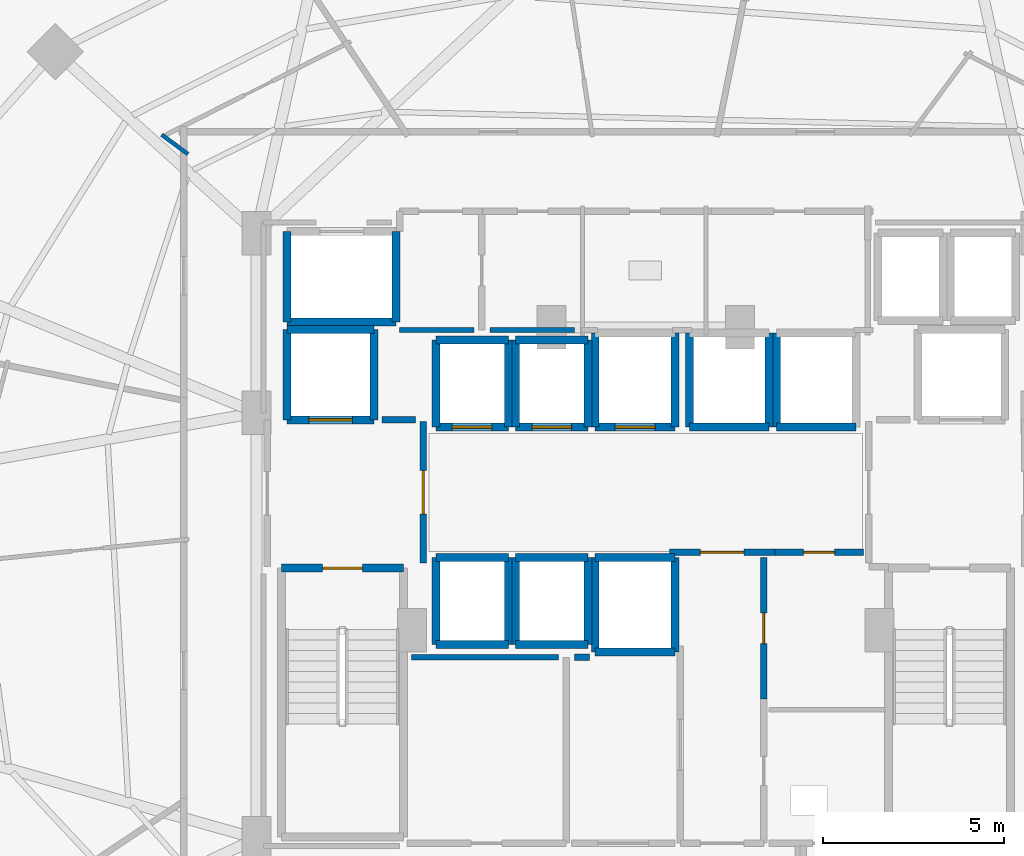
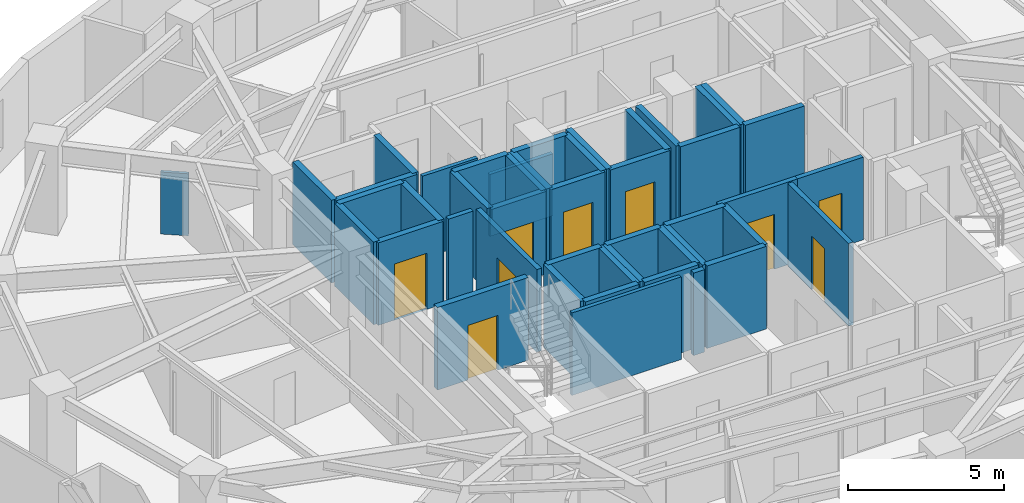
# One storey, part 23 of 29: 46 walls, 9 doors, 9 openings.
"""IFC4 building model written with IfcOpenShell, lengths in metres."""

from ifc_helpers import new_model, si_unit, direction, frame, frame_2d, origin, place, context, subcontext, project, spatial, rectangle, extrude, material, layer, layer_set, type_object, element, fill, save


model = new_model("IFC4")

# Units and contexts
model_context = context("Model", 3, precision=1e-05, world=origin(), true_north=direction((0.0, 1.0)))
body_context = subcontext(model_context, "Body", "Model", "MODEL_VIEW")
ifc_project = project(units=[si_unit("LENGTHUNIT", "METRE"), si_unit("AREAUNIT", "SQUARE_METRE"), si_unit("VOLUMEUNIT", "CUBIC_METRE"), si_unit("PLANEANGLEUNIT", "RADIAN"), si_unit("MASSUNIT", "GRAM", prefix="KILO")], contexts=[model_context])

# Site, building, storey
site_placement = place(None, origin())
site = spatial("IfcSite", under=ifc_project, at=site_placement, CompositionType="ELEMENT")
building_placement = place(site_placement, origin())
building = spatial("IfcBuilding", under=site, at=building_placement, Name="Vorneva Point Tower", CompositionType="ELEMENT")
storey_placement = place(building_placement, frame((0.0, 0.0, 82.300048828125)))
storey = spatial("IfcBuildingStorey", under=building, at=storey_placement, Name="L21", CompositionType="ELEMENT", Elevation=82.300048828125)

# Wall, opening, door
ifc_material_1 = material(Name="Concrete B60 (C50/60)", Category="concrete")
ifc_layer_1 = layer(ifc_material_1, 0.5)
ifc_layer_set_1 = layer_set([ifc_layer_1], Name="Concrete B60 (C50/60)")
wall_type_1 = type_object("IfcWallType", Name="WL-CORE-500", PredefinedType="SHEAR", material=ifc_layer_set_1)
wall_1_placement = place(storey_placement, frame((28.10009765625, 28.0, 0.0), z_axis=(0.0, 0.0, 1.0), x_axis=(1.0, 0.0, 0.0)))
wall_1 = element("IfcWall", 1, at=wall_1_placement, inside=storey, type_object=wall_type_1, Name="L21 Lift FFL1 Shaft Wall -Y", PredefinedType="SHEAR", context=body_context, shape_type="SweptSolid", body=[
    extrude(rectangle(XDim=2.39990234375, YDim=0.219970703125, at=frame_2d((1.199951171875, 0.0))), origin(), (0.0, 0.0, 1.0), 3.239990234375),
])
opening_1_placement = place(wall_1_placement, frame((0.60009765625, 0.0, 0.0)))
opening_1 = element("IfcOpeningElement", 2, at=opening_1_placement, cuts=wall_1, Name="Opening LD-02", PredefinedType="OPENING", context=body_context, shape_type="SweptSolid", body=[
    extrude(rectangle(XDim=1.199951171875, YDim=2.199951171875, at=frame_2d((0.60009765625, 1.10009765625))), frame((0.0, 0.125, 0.0), z_axis=(0.0, -1.0, 0.0), x_axis=(1.0, 0.0, 0.0)), (0.0, 0.0, 1.0), 0.249755859375),
])
ifc_material_2 = material(Name="Brushed stainless steel S304", Category="steel")
door_type_1 = type_object("IfcDoorType", Name="LD-FIRE-1200", OperationType="SLIDING_TO_LEFT", PredefinedType="DOOR", material=ifc_material_2)
door_1_placement = place(opening_1_placement, origin())
door_1 = element("IfcDoor", 3, at=door_1_placement, inside=storey, type_object=door_type_1, Name="L21 Lift FFL1 Sliding Landing Door", OperationType="SLIDING_TO_LEFT", OverallHeight=2.199951171875, OverallWidth=1.199951171875, PredefinedType="DOOR", context=body_context, shape_type="SweptSolid", body=[
    extrude(rectangle(XDim=1.199951171875, YDim=2.199951171875, at=frame_2d((0.60009765625, 1.10009765625))), frame((0.0, 0.02490234375, 0.0), z_axis=(0.0, -1.0, 0.0), x_axis=(1.0, 0.0, 0.0)), (0.0, 0.0, 1.0), 0.050048828125),
])
fill(opening_1, door_1)

# Walls
wall_2_placement = place(storey_placement, frame((30.5, 28.0, 0.0), z_axis=(0.0, 0.0, 1.0), x_axis=(0.0, 1.0, 0.0)))
element("IfcWall", 4, at=wall_2_placement, inside=storey, type_object=wall_type_1, Name="L21 Lift FFL1 Shaft Wall +X", PredefinedType="SHEAR", context=body_context, shape_type="SweptSolid", body=[
    extrude(rectangle(XDim=2.5, YDim=0.219970703125, at=frame_2d((1.25, 0.0))), origin(), (0.0, 0.0, 1.0), 3.239990234375),
])
wall_3_placement = place(storey_placement, frame((30.5, 30.5, 0.0), z_axis=(0.0, 0.0, 1.0), x_axis=(-1.0, 0.0, 0.0)))
element("IfcWall", 5, at=wall_3_placement, inside=storey, type_object=wall_type_1, Name="L21 Lift FFL1 Shaft Wall +Y", PredefinedType="SHEAR", context=body_context, shape_type="SweptSolid", body=[
    extrude(rectangle(XDim=2.39990234375, YDim=0.219970703125, at=frame_2d((1.199951171875, 0.0))), origin(), (0.0, 0.0, 1.0), 3.239990234375),
])
wall_4_placement = place(storey_placement, frame((28.10009765625, 30.5, 0.0), z_axis=(0.0, 0.0, 1.0), x_axis=(0.0, -1.0, 0.0)))
element("IfcWall", 6, at=wall_4_placement, inside=storey, type_object=wall_type_1, Name="L21 Lift FFL1 Shaft Wall -X", PredefinedType="SHEAR", context=body_context, shape_type="SweptSolid", body=[
    extrude(rectangle(XDim=2.5, YDim=0.219970703125, at=frame_2d((1.25, 0.0))), origin(), (0.0, 0.0, 1.0), 3.239990234375),
])
ifc_material_3 = material(Name="Fire-rated acoustic gypsum stud partition", Category="gypsum")
ifc_layer_2 = layer(ifc_material_3, 0.110107421875)
ifc_layer_set_2 = layer_set([ifc_layer_2], Name="Fire-rated acoustic gypsum stud partition")
wall_type_2 = type_object("IfcWallType", Name="WL-PART-110", PredefinedType="PARTITIONING", material=ifc_layer_set_2)
wall_5_placement = place(storey_placement, frame((25.362548828125, 35.333740234375, 0.0), z_axis=(0.0, 0.0, 1.0), x_axis=(-0.804215638238, 0.594337620561, 0.0)))
element("IfcWall", 7, at=wall_5_placement, inside=storey, type_object=wall_type_2, Name="L21 Interior Partition 068", PredefinedType="PARTITIONING", context=body_context, shape_type="SweptSolid", body=[
    extrude(rectangle(XDim=0.899169921875, YDim=0.110107421875, at=frame_2d((0.44970703125, 0.0))), origin(), (0.0, 0.0, 1.0), 2.431884765625),
])
ifc_layer_3 = layer(ifc_material_3, 0.139892578125)
ifc_layer_set_3 = layer_set([ifc_layer_3], Name="Fire-rated acoustic gypsum stud partition")
wall_type_3 = type_object("IfcWallType", Name="WL-PART-140", PredefinedType="PARTITIONING", material=ifc_layer_set_3)
wall_6_placement = place(storey_placement, frame((31.199951171875, 30.47998046875, 0.0), z_axis=(0.0, 0.0, 1.0), x_axis=(1.0, 0.0, 0.0)))
element("IfcWall", 8, at=wall_6_placement, inside=storey, type_object=wall_type_3, Name="L21 Interior Closure Partition 096", PredefinedType="PARTITIONING", context=body_context, shape_type="SweptSolid", body=[
    extrude(rectangle(XDim=2.050048828125, YDim=0.139892578125, at=frame_2d((1.02490234375, 0.0))), origin(), (0.0, 0.0, 1.0), 3.239990234375),
])
wall_7_placement = place(storey_placement, frame((33.699951171875, 30.47998046875, 0.0), z_axis=(0.0, 0.0, 1.0), x_axis=(1.0, 0.0, 0.0)))
element("IfcWall", 9, at=wall_7_placement, inside=storey, type_object=wall_type_3, Name="L21 Interior Closure Partition 097", PredefinedType="PARTITIONING", context=body_context, shape_type="SweptSolid", body=[
    extrude(rectangle(XDim=2.330078125, YDim=0.139892578125, at=frame_2d((1.1650390625, 0.0))), origin(), (0.0, 0.0, 1.0), 2.431884765625),
])
wall_8_placement = place(storey_placement, frame((35.580078125, 21.449951171875, 0.0), z_axis=(0.0, 0.0, 1.0), x_axis=(-1.0, 0.0, 0.0)))
element("IfcWall", 10, at=wall_8_placement, inside=storey, type_object=wall_type_3, Name="L21 Interior Closure Partition 102", PredefinedType="PARTITIONING", context=body_context, shape_type="SweptSolid", body=[
    extrude(rectangle(XDim=4.050048828125, YDim=0.139892578125, at=frame_2d((2.02490234375, 0.0))), origin(), (0.0, 0.0, 1.0), 3.239990234375),
])

# Wall, opening, door
ifc_material_4 = material(Name="Autoclaved aerated concrete blockwork", Category="masonry")
ifc_layer_4 = layer(ifc_material_4, 0.179931640625)
ifc_layer_set_4 = layer_set([ifc_layer_4], Name="Autoclaved aerated concrete blockwork")
wall_type_4 = type_object("IfcWallType", Name="WL-PART-180", PredefinedType="PARTITIONING", material=ifc_layer_set_4)
wall_9_placement = place(storey_placement, frame((31.85009765625, 24.044921875, 0.0), z_axis=(0.0, 0.0, 1.0), x_axis=(0.0, 1.0, 0.0)))
wall_9 = element("IfcWall", 11, at=wall_9_placement, inside=storey, type_object=wall_type_4, Name="L21 Interior Partition 001", PredefinedType="PARTITIONING", context=body_context, shape_type="SweptSolid", body=[
    extrude(rectangle(XDim=3.91015625, YDim=0.179931640625, at=frame_2d((1.955078125, 0.0))), origin(), (0.0, 0.0, 1.0), 3.239990234375),
])
opening_2_placement = place(wall_9_placement, frame((1.35498046875, 0.0, 0.0)))
opening_2 = element("IfcOpeningElement", 12, at=opening_2_placement, cuts=wall_9, Name="Opening FD-02", PredefinedType="OPENING", context=body_context, shape_type="SweptSolid", body=[
    extrude(rectangle(XDim=1.199951171875, YDim=2.14990234375, at=frame_2d((0.60009765625, 1.074951171875))), frame((0.0, 0.10498046875, 0.0), z_axis=(0.0, -1.0, 0.0), x_axis=(1.0, 0.0, 0.0)), (0.0, 0.0, 1.0), 0.209716796875),
])
ifc_material_5 = material(Name="Fire-rated powder-coated steel", Category="steel")
door_type_2 = type_object("IfcDoorType", Name="DR-FFL-1200", OperationType="NOTDEFINED", PredefinedType="DOOR", material=ifc_material_5)
door_2_placement = place(opening_2_placement, origin())
door_2 = element("IfcDoor", 13, at=door_2_placement, inside=storey, type_object=door_type_2, Name="L21 Door West Firefighting Lobby / Central Lift Lobby", OperationType="SINGLE_SWING_LEFT", OverallHeight=2.14990234375, OverallWidth=1.199951171875, PredefinedType="DOOR", context=body_context, shape_type="SweptSolid", body=[
    extrude(rectangle(XDim=1.199951171875, YDim=2.14990234375, at=frame_2d((0.60009765625, 1.074951171875))), frame((0.0, 0.02490234375, 0.0), z_axis=(0.0, -1.0, 0.0), x_axis=(1.0, 0.0, 0.0)), (0.0, 0.0, 1.0), 0.050048828125),
])
fill(opening_2, door_2)

wall_10_placement = place(storey_placement, frame((38.64501953125, 24.35009765625, 0.0), z_axis=(0.0, 0.0, 1.0), x_axis=(1.0, 0.0, 0.0)))
wall_10 = element("IfcWall", 14, at=wall_10_placement, inside=storey, type_object=wall_type_4, Name="L21 Interior Partition 009", PredefinedType="PARTITIONING", context=body_context, shape_type="SweptSolid", body=[
    extrude(rectangle(XDim=2.909912109375, YDim=0.179931640625, at=frame_2d((1.455078125, 0.0))), origin(), (0.0, 0.0, 1.0), 3.239990234375),
])
opening_3_placement = place(wall_10_placement, frame((0.85498046875, 0.0, 0.0)))
opening_3 = element("IfcOpeningElement", 15, at=opening_3_placement, cuts=wall_10, Name="Opening FD-02", PredefinedType="OPENING", context=body_context, shape_type="SweptSolid", body=[
    extrude(rectangle(XDim=1.199951171875, YDim=2.14990234375, at=frame_2d((0.60009765625, 1.074951171875))), frame((0.0, 0.10498046875, 0.0), z_axis=(0.0, -1.0, 0.0), x_axis=(1.0, 0.0, 0.0)), (0.0, 0.0, 1.0), 0.209716796875),
])
door_3_placement = place(opening_3_placement, origin())
door_3 = element("IfcDoor", 16, at=door_3_placement, inside=storey, type_object=door_type_2, Name="L21 Door Central Lift Lobby / Core Service Lobby", OperationType="SINGLE_SWING_LEFT", OverallHeight=2.14990234375, OverallWidth=1.199951171875, PredefinedType="DOOR", context=body_context, shape_type="SweptSolid", body=[
    extrude(rectangle(XDim=1.199951171875, YDim=2.14990234375, at=frame_2d((0.60009765625, 1.074951171875))), frame((0.0, 0.02490234375, 0.0), z_axis=(0.0, -1.0, 0.0), x_axis=(1.0, 0.0, 0.0)), (0.0, 0.0, 1.0), 0.050048828125),
])
fill(opening_3, door_3)

wall_11_placement = place(storey_placement, frame((41.554931640625, 24.35009765625, 0.0), z_axis=(0.0, 0.0, 1.0), x_axis=(1.0, 0.0, 0.0)))
wall_11 = element("IfcWall", 17, at=wall_11_placement, inside=storey, type_object=wall_type_4, Name="L21 Interior Partition 010", PredefinedType="PARTITIONING", context=body_context, shape_type="SweptSolid", body=[
    extrude(rectangle(XDim=2.445068359375, YDim=0.179931640625, at=frame_2d((1.22265625, 0.0))), origin(), (0.0, 0.0, 1.0), 3.239990234375),
])
opening_4_placement = place(wall_11_placement, frame((0.797607421875, 0.0, 0.0)))
opening_4 = element("IfcOpeningElement", 18, at=opening_4_placement, cuts=wall_11, Name="Opening ID-02", PredefinedType="OPENING", context=body_context, shape_type="SweptSolid", body=[
    extrude(rectangle(XDim=0.85009765625, YDim=2.10009765625, at=frame_2d((0.425048828125, 1.050048828125))), frame((0.0, 0.10498046875, 0.0), z_axis=(0.0, -1.0, 0.0), x_axis=(1.0, 0.0, 0.0)), (0.0, 0.0, 1.0), 0.209716796875),
])
ifc_material_6 = material(Name="Engineered oak fire-rated door leaf", Category="wood")
door_type_3 = type_object("IfcDoorType", Name="DR-BATH-850", OperationType="NOTDEFINED", PredefinedType="DOOR", material=ifc_material_6)
door_4_placement = place(opening_4_placement, origin())
door_4 = element("IfcDoor", 19, at=door_4_placement, inside=storey, type_object=door_type_3, Name="L21 Door Central Lift Lobby / Valet and Parcel Room", OperationType="SINGLE_SWING_RIGHT", OverallHeight=2.10009765625, OverallWidth=0.85009765625, PredefinedType="DOOR", context=body_context, shape_type="SweptSolid", body=[
    extrude(rectangle(XDim=0.85009765625, YDim=2.10009765625, at=frame_2d((0.425048828125, 1.050048828125))), frame((0.0, 0.02490234375, 0.0), z_axis=(0.0, -1.0, 0.0), x_axis=(1.0, 0.0, 0.0)), (0.0, 0.0, 1.0), 0.050048828125),
])
fill(opening_4, door_4)

wall_12_placement = place(storey_placement, frame((41.25, 20.304931640625, 0.0), z_axis=(0.0, 0.0, 1.0), x_axis=(0.0, 1.0, 0.0)))
wall_12 = element("IfcWall", 20, at=wall_12_placement, inside=storey, type_object=wall_type_4, Name="L21 Interior Partition 012", PredefinedType="PARTITIONING", context=body_context, shape_type="SweptSolid", body=[
    extrude(rectangle(XDim=3.89501953125, YDim=0.179931640625, at=frame_2d((1.947509765625, 0.0))), origin(), (0.0, 0.0, 1.0), 3.239990234375),
])
opening_5_placement = place(wall_12_placement, frame((1.5224609375, 0.0, 0.0)))
opening_5 = element("IfcOpeningElement", 21, at=opening_5_placement, cuts=wall_12, Name="Opening ID-02", PredefinedType="OPENING", context=body_context, shape_type="SweptSolid", body=[
    extrude(rectangle(XDim=0.85009765625, YDim=2.10009765625, at=frame_2d((0.425048828125, 1.050048828125))), frame((0.0, 0.10498046875, 0.0), z_axis=(0.0, -1.0, 0.0), x_axis=(1.0, 0.0, 0.0)), (0.0, 0.0, 1.0), 0.209716796875),
])
door_5_placement = place(opening_5_placement, origin())
door_5 = element("IfcDoor", 22, at=door_5_placement, inside=storey, type_object=door_type_3, Name="L21 Door Core Service Lobby / Valet and Parcel Room", OperationType="SINGLE_SWING_RIGHT", OverallHeight=2.10009765625, OverallWidth=0.85009765625, PredefinedType="DOOR", context=body_context, shape_type="SweptSolid", body=[
    extrude(rectangle(XDim=0.85009765625, YDim=2.10009765625, at=frame_2d((0.425048828125, 1.050048828125))), frame((0.0, 0.02490234375, 0.0), z_axis=(0.0, -1.0, 0.0), x_axis=(1.0, 0.0, 0.0)), (0.0, 0.0, 1.0), 0.050048828125),
])
fill(opening_5, door_5)

# Walls
wall_13_placement = place(storey_placement, frame((31.635009765625, 28.0, 0.0), z_axis=(0.0, 0.0, 1.0), x_axis=(-1.0, 0.0, 0.0)))
element("IfcWall", 23, at=wall_13_placement, inside=storey, type_object=wall_type_4, Name="L21 Interior Closure Partition 094", PredefinedType="PARTITIONING", context=body_context, shape_type="SweptSolid", body=[
    extrude(rectangle(XDim=0.9150390625, YDim=0.179931640625, at=frame_2d((0.45751953125, 0.0))), origin(), (0.0, 0.0, 1.0), 3.239990234375),
])
wall_14_placement = place(storey_placement, frame((36.43896484375, 21.449951171875, 0.0), z_axis=(0.0, 0.0, 1.0), x_axis=(-1.0, 0.0, 0.0)))
element("IfcWall", 24, at=wall_14_placement, inside=storey, type_object=wall_type_4, Name="L21 Interior Closure Partition 103", PredefinedType="PARTITIONING", context=body_context, shape_type="SweptSolid", body=[
    extrude(rectangle(XDim=0.408935546875, YDim=0.179931640625, at=frame_2d((0.20458984375, 0.0))), origin(), (0.0, 0.0, 1.0), 3.239990234375),
])

# Wall, opening, door
ifc_material_7 = material(Name="Concrete B50 (C40/50)", Category="concrete")
ifc_layer_5 = layer(ifc_material_7, 0.219970703125)
ifc_layer_set_5 = layer_set([ifc_layer_5], Name="Concrete B50 (C40/50)")
wall_type_5 = type_object("IfcWallType", Name="WL-SHFT-220", PredefinedType="SOLIDWALL", material=ifc_layer_set_5)
wall_15_placement = place(storey_placement, frame((27.93994140625, 23.909912109375, 0.0), z_axis=(0.0, 0.0, 1.0), x_axis=(1.0, 0.0, 0.0)))
wall_15 = element("IfcWall", 25, at=wall_15_placement, inside=storey, type_object=wall_type_5, Name="L21 Exit Stair ST1 Shaft Wall near", PredefinedType="SOLIDWALL", context=body_context, shape_type="SweptSolid", body=[
    extrude(rectangle(XDim=3.3701171875, YDim=0.219970703125, at=frame_2d((1.68505859375, 0.0))), origin(), (0.0, 0.0, 1.0), 3.239990234375),
])
opening_6_placement = place(wall_15_placement, frame((1.135009765625, 0.0, 0.0)))
opening_6 = element("IfcOpeningElement", 26, at=opening_6_placement, cuts=wall_15, Name="Opening FD-01", PredefinedType="OPENING", context=body_context, shape_type="SweptSolid", body=[
    extrude(rectangle(XDim=1.10009765625, YDim=2.14990234375, at=frame_2d((0.550048828125, 1.074951171875))), frame((0.0, 0.125, 0.0), z_axis=(0.0, -1.0, 0.0), x_axis=(1.0, 0.0, 0.0)), (0.0, 0.0, 1.0), 0.249755859375),
])
door_type_4 = type_object("IfcDoorType", Name="DR-STAIR-1100", OperationType="NOTDEFINED", PredefinedType="DOOR", material=ifc_material_5)
door_6_placement = place(opening_6_placement, origin())
door_6 = element("IfcDoor", 27, at=door_6_placement, inside=storey, type_object=door_type_4, Name="L21 Exit Stair ST1 Fire Door", OperationType="SINGLE_SWING_LEFT", OverallHeight=2.14990234375, OverallWidth=1.10009765625, PredefinedType="DOOR", context=body_context, shape_type="SweptSolid", body=[
    extrude(rectangle(XDim=1.10009765625, YDim=2.14990234375, at=frame_2d((0.550048828125, 1.074951171875))), frame((0.0, 0.02490234375, 0.0), z_axis=(0.0, -1.0, 0.0), x_axis=(1.0, 0.0, 0.0)), (0.0, 0.0, 1.0), 0.050048828125),
])
fill(opening_6, door_6)

wall_16_placement = place(storey_placement, frame((32.199951171875, 27.800048828125, 0.0), z_axis=(0.0, 0.0, 1.0), x_axis=(1.0, 0.0, 0.0)))
wall_16 = element("IfcWall", 28, at=wall_16_placement, inside=storey, type_object=wall_type_5, Name="L21 Lift PL1 Shaft Wall -Y", PredefinedType="SOLIDWALL", context=body_context, shape_type="SweptSolid", body=[
    extrude(rectangle(XDim=2.0, YDim=0.219970703125, at=frame_2d((1.0, 0.0))), origin(), (0.0, 0.0, 1.0), 3.239990234375),
])
opening_7_placement = place(wall_16_placement, frame((0.449951171875, 0.0, 0.0)))
opening_7 = element("IfcOpeningElement", 29, at=opening_7_placement, cuts=wall_16, Name="Opening LD-01", PredefinedType="OPENING", context=body_context, shape_type="SweptSolid", body=[
    extrude(rectangle(XDim=1.10009765625, YDim=2.199951171875, at=frame_2d((0.550048828125, 1.10009765625))), frame((0.0, 0.125, 0.0), z_axis=(0.0, -1.0, 0.0), x_axis=(1.0, 0.0, 0.0)), (0.0, 0.0, 1.0), 0.249755859375),
])
door_type_5 = type_object("IfcDoorType", Name="LD-PASS-1100", OperationType="SLIDING_TO_LEFT", PredefinedType="DOOR", material=ifc_material_2)
door_7_placement = place(opening_7_placement, origin())
door_7 = element("IfcDoor", 30, at=door_7_placement, inside=storey, type_object=door_type_5, Name="L21 Lift PL1 Sliding Landing Door", OperationType="SLIDING_TO_LEFT", OverallHeight=2.199951171875, OverallWidth=1.10009765625, PredefinedType="DOOR", context=body_context, shape_type="SweptSolid", body=[
    extrude(rectangle(XDim=1.10009765625, YDim=2.199951171875, at=frame_2d((0.550048828125, 1.10009765625))), frame((0.0, 0.02490234375, 0.0), z_axis=(0.0, -1.0, 0.0), x_axis=(1.0, 0.0, 0.0)), (0.0, 0.0, 1.0), 0.050048828125),
])
fill(opening_7, door_7)

# Walls
wall_17_placement = place(storey_placement, frame((34.199951171875, 27.800048828125, 0.0), z_axis=(0.0, 0.0, 1.0), x_axis=(0.0, 1.0, 0.0)))
element("IfcWall", 31, at=wall_17_placement, inside=storey, type_object=wall_type_5, Name="L21 Lift PL1 Shaft Wall +X", PredefinedType="SOLIDWALL", context=body_context, shape_type="SweptSolid", body=[
    extrude(rectangle(XDim=2.39990234375, YDim=0.219970703125, at=frame_2d((1.199951171875, 0.0))), origin(), (0.0, 0.0, 1.0), 3.239990234375),
])
wall_18_placement = place(storey_placement, frame((34.199951171875, 30.199951171875, 0.0), z_axis=(0.0, 0.0, 1.0), x_axis=(-1.0, 0.0, 0.0)))
element("IfcWall", 32, at=wall_18_placement, inside=storey, type_object=wall_type_5, Name="L21 Lift PL1 Shaft Wall +Y", PredefinedType="SOLIDWALL", context=body_context, shape_type="SweptSolid", body=[
    extrude(rectangle(XDim=2.0, YDim=0.219970703125, at=frame_2d((1.0, 0.0))), origin(), (0.0, 0.0, 1.0), 3.239990234375),
])
wall_19_placement = place(storey_placement, frame((32.199951171875, 30.199951171875, 0.0), z_axis=(0.0, 0.0, 1.0), x_axis=(0.0, -1.0, 0.0)))
element("IfcWall", 33, at=wall_19_placement, inside=storey, type_object=wall_type_5, Name="L21 Lift PL1 Shaft Wall -X", PredefinedType="SOLIDWALL", context=body_context, shape_type="SweptSolid", body=[
    extrude(rectangle(XDim=2.39990234375, YDim=0.219970703125, at=frame_2d((1.199951171875, 0.0))), origin(), (0.0, 0.0, 1.0), 3.239990234375),
])

# Wall, opening, door
wall_20_placement = place(storey_placement, frame((34.39990234375, 27.800048828125, 0.0), z_axis=(0.0, 0.0, 1.0), x_axis=(1.0, 0.0, 0.0)))
wall_20 = element("IfcWall", 34, at=wall_20_placement, inside=storey, type_object=wall_type_5, Name="L21 Lift PL2 Shaft Wall -Y", PredefinedType="SOLIDWALL", context=body_context, shape_type="SweptSolid", body=[
    extrude(rectangle(XDim=2.0, YDim=0.219970703125, at=frame_2d((1.0, 0.0))), origin(), (0.0, 0.0, 1.0), 3.239990234375),
])
opening_8_placement = place(wall_20_placement, frame((0.449951171875, 0.0, 0.0)))
opening_8 = element("IfcOpeningElement", 35, at=opening_8_placement, cuts=wall_20, Name="Opening LD-01", PredefinedType="OPENING", context=body_context, shape_type="SweptSolid", body=[
    extrude(rectangle(XDim=1.10009765625, YDim=2.199951171875, at=frame_2d((0.550048828125, 1.10009765625))), frame((0.0, 0.125, 0.0), z_axis=(0.0, -1.0, 0.0), x_axis=(1.0, 0.0, 0.0)), (0.0, 0.0, 1.0), 0.249755859375),
])
door_8_placement = place(opening_8_placement, origin())
door_8 = element("IfcDoor", 36, at=door_8_placement, inside=storey, type_object=door_type_5, Name="L21 Lift PL2 Sliding Landing Door", OperationType="SLIDING_TO_LEFT", OverallHeight=2.199951171875, OverallWidth=1.10009765625, PredefinedType="DOOR", context=body_context, shape_type="SweptSolid", body=[
    extrude(rectangle(XDim=1.10009765625, YDim=2.199951171875, at=frame_2d((0.550048828125, 1.10009765625))), frame((0.0, 0.02490234375, 0.0), z_axis=(0.0, -1.0, 0.0), x_axis=(1.0, 0.0, 0.0)), (0.0, 0.0, 1.0), 0.050048828125),
])
fill(opening_8, door_8)

# Walls
wall_21_placement = place(storey_placement, frame((36.39990234375, 27.800048828125, 0.0), z_axis=(0.0, 0.0, 1.0), x_axis=(0.0, 1.0, 0.0)))
element("IfcWall", 37, at=wall_21_placement, inside=storey, type_object=wall_type_5, Name="L21 Lift PL2 Shaft Wall +X", PredefinedType="SOLIDWALL", context=body_context, shape_type="SweptSolid", body=[
    extrude(rectangle(XDim=2.39990234375, YDim=0.219970703125, at=frame_2d((1.199951171875, 0.0))), origin(), (0.0, 0.0, 1.0), 3.239990234375),
])
wall_22_placement = place(storey_placement, frame((36.39990234375, 30.199951171875, 0.0), z_axis=(0.0, 0.0, 1.0), x_axis=(-1.0, 0.0, 0.0)))
element("IfcWall", 38, at=wall_22_placement, inside=storey, type_object=wall_type_5, Name="L21 Lift PL2 Shaft Wall +Y", PredefinedType="SOLIDWALL", context=body_context, shape_type="SweptSolid", body=[
    extrude(rectangle(XDim=2.0, YDim=0.219970703125, at=frame_2d((1.0, 0.0))), origin(), (0.0, 0.0, 1.0), 3.239990234375),
])
wall_23_placement = place(storey_placement, frame((34.39990234375, 30.199951171875, 0.0), z_axis=(0.0, 0.0, 1.0), x_axis=(0.0, -1.0, 0.0)))
element("IfcWall", 39, at=wall_23_placement, inside=storey, type_object=wall_type_5, Name="L21 Lift PL2 Shaft Wall -X", PredefinedType="SOLIDWALL", context=body_context, shape_type="SweptSolid", body=[
    extrude(rectangle(XDim=2.39990234375, YDim=0.219970703125, at=frame_2d((1.199951171875, 0.0))), origin(), (0.0, 0.0, 1.0), 3.239990234375),
])

# Wall, opening, door
wall_24_placement = place(storey_placement, frame((36.60009765625, 27.800048828125, 0.0), z_axis=(0.0, 0.0, 1.0), x_axis=(1.0, 0.0, 0.0)))
wall_24 = element("IfcWall", 40, at=wall_24_placement, inside=storey, type_object=wall_type_5, Name="L21 Lift PL3 Shaft Wall -Y", PredefinedType="SOLIDWALL", context=body_context, shape_type="SweptSolid", body=[
    extrude(rectangle(XDim=2.199951171875, YDim=0.219970703125, at=frame_2d((1.10009765625, 0.0))), origin(), (0.0, 0.0, 1.0), 3.239990234375),
])
opening_9_placement = place(wall_24_placement, frame((0.550048828125, 0.0, 0.0)))
opening_9 = element("IfcOpeningElement", 41, at=opening_9_placement, cuts=wall_24, Name="Opening LD-01", PredefinedType="OPENING", context=body_context, shape_type="SweptSolid", body=[
    extrude(rectangle(XDim=1.10009765625, YDim=2.199951171875, at=frame_2d((0.550048828125, 1.10009765625))), frame((0.0, 0.125, 0.0), z_axis=(0.0, -1.0, 0.0), x_axis=(1.0, 0.0, 0.0)), (0.0, 0.0, 1.0), 0.249755859375),
])
door_9_placement = place(opening_9_placement, origin())
door_9 = element("IfcDoor", 42, at=door_9_placement, inside=storey, type_object=door_type_5, Name="L21 Lift PL3 Sliding Landing Door", OperationType="SLIDING_TO_LEFT", OverallHeight=2.199951171875, OverallWidth=1.10009765625, PredefinedType="DOOR", context=body_context, shape_type="SweptSolid", body=[
    extrude(rectangle(XDim=1.10009765625, YDim=2.199951171875, at=frame_2d((0.550048828125, 1.10009765625))), frame((0.0, 0.02490234375, 0.0), z_axis=(0.0, -1.0, 0.0), x_axis=(1.0, 0.0, 0.0)), (0.0, 0.0, 1.0), 0.050048828125),
])
fill(opening_9, door_9)

# Walls
for number, where, z_axis, x_axis, name in (
    (43, (38.800048828125, 27.800048828125, 0.0), (0.0, 0.0, 1.0), (0.0, 1.0, 0.0), "L21 Lift PL3 Shaft Wall +X"),
    (44, (36.60009765625, 30.39990234375, 0.0), (0.0, 0.0, 1.0), (0.0, -1.0, 0.0), "L21 Lift PL3 Shaft Wall -X"),
):
    element("IfcWall", number, at=place(storey_placement, frame(where, z_axis=z_axis, x_axis=x_axis)), inside=storey, type_object=wall_type_5, Name=name, PredefinedType="SOLIDWALL", context=body_context, shape_type="SweptSolid", body=[
        extrude(rectangle(XDim=2.599853515625, YDim=0.219970703125, at=frame_2d((1.2998046875, 0.0))), origin(), (0.0, 0.0, 1.0), 3.239990234375),
    ])
wall_25_placement = place(storey_placement, frame((32.199951171875, 21.800048828125, 0.0), z_axis=(0.0, 0.0, 1.0), x_axis=(1.0, 0.0, 0.0)))
element("IfcWall", 45, at=wall_25_placement, inside=storey, type_object=wall_type_5, Name="L21 Lift PL4 Shaft Wall -Y", PredefinedType="SOLIDWALL", context=body_context, shape_type="SweptSolid", body=[
    extrude(rectangle(XDim=2.0, YDim=0.219970703125, at=frame_2d((1.0, 0.0))), origin(), (0.0, 0.0, 1.0), 3.239990234375),
])
wall_26_placement = place(storey_placement, frame((34.199951171875, 21.800048828125, 0.0), z_axis=(0.0, 0.0, 1.0), x_axis=(0.0, 1.0, 0.0)))
element("IfcWall", 46, at=wall_26_placement, inside=storey, type_object=wall_type_5, Name="L21 Lift PL4 Shaft Wall +X", PredefinedType="SOLIDWALL", context=body_context, shape_type="SweptSolid", body=[
    extrude(rectangle(XDim=2.39990234375, YDim=0.219970703125, at=frame_2d((1.199951171875, 0.0))), origin(), (0.0, 0.0, 1.0), 3.239990234375),
])
wall_27_placement = place(storey_placement, frame((34.199951171875, 24.199951171875, 0.0), z_axis=(0.0, 0.0, 1.0), x_axis=(-1.0, 0.0, 0.0)))
element("IfcWall", 47, at=wall_27_placement, inside=storey, type_object=wall_type_5, Name="L21 Lift PL4 Shaft Wall +Y", PredefinedType="SOLIDWALL", context=body_context, shape_type="SweptSolid", body=[
    extrude(rectangle(XDim=2.0, YDim=0.219970703125, at=frame_2d((1.0, 0.0))), origin(), (0.0, 0.0, 1.0), 3.239990234375),
])
wall_28_placement = place(storey_placement, frame((32.199951171875, 24.199951171875, 0.0), z_axis=(0.0, 0.0, 1.0), x_axis=(0.0, -1.0, 0.0)))
element("IfcWall", 48, at=wall_28_placement, inside=storey, type_object=wall_type_5, Name="L21 Lift PL4 Shaft Wall -X", PredefinedType="SOLIDWALL", context=body_context, shape_type="SweptSolid", body=[
    extrude(rectangle(XDim=2.39990234375, YDim=0.219970703125, at=frame_2d((1.199951171875, 0.0))), origin(), (0.0, 0.0, 1.0), 3.239990234375),
])
wall_29_placement = place(storey_placement, frame((34.39990234375, 21.800048828125, 0.0), z_axis=(0.0, 0.0, 1.0), x_axis=(1.0, 0.0, 0.0)))
element("IfcWall", 49, at=wall_29_placement, inside=storey, type_object=wall_type_5, Name="L21 Lift PL5 Shaft Wall -Y", PredefinedType="SOLIDWALL", context=body_context, shape_type="SweptSolid", body=[
    extrude(rectangle(XDim=2.0, YDim=0.219970703125, at=frame_2d((1.0, 0.0))), origin(), (0.0, 0.0, 1.0), 3.239990234375),
])
wall_30_placement = place(storey_placement, frame((36.39990234375, 21.800048828125, 0.0), z_axis=(0.0, 0.0, 1.0), x_axis=(0.0, 1.0, 0.0)))
element("IfcWall", 50, at=wall_30_placement, inside=storey, type_object=wall_type_5, Name="L21 Lift PL5 Shaft Wall +X", PredefinedType="SOLIDWALL", context=body_context, shape_type="SweptSolid", body=[
    extrude(rectangle(XDim=2.39990234375, YDim=0.219970703125, at=frame_2d((1.199951171875, 0.0))), origin(), (0.0, 0.0, 1.0), 3.239990234375),
])
wall_31_placement = place(storey_placement, frame((36.39990234375, 24.199951171875, 0.0), z_axis=(0.0, 0.0, 1.0), x_axis=(-1.0, 0.0, 0.0)))
element("IfcWall", 51, at=wall_31_placement, inside=storey, type_object=wall_type_5, Name="L21 Lift PL5 Shaft Wall +Y", PredefinedType="SOLIDWALL", context=body_context, shape_type="SweptSolid", body=[
    extrude(rectangle(XDim=2.0, YDim=0.219970703125, at=frame_2d((1.0, 0.0))), origin(), (0.0, 0.0, 1.0), 3.239990234375),
])
wall_32_placement = place(storey_placement, frame((34.39990234375, 24.199951171875, 0.0), z_axis=(0.0, 0.0, 1.0), x_axis=(0.0, -1.0, 0.0)))
element("IfcWall", 52, at=wall_32_placement, inside=storey, type_object=wall_type_5, Name="L21 Lift PL5 Shaft Wall -X", PredefinedType="SOLIDWALL", context=body_context, shape_type="SweptSolid", body=[
    extrude(rectangle(XDim=2.39990234375, YDim=0.219970703125, at=frame_2d((1.199951171875, 0.0))), origin(), (0.0, 0.0, 1.0), 3.239990234375),
])
wall_33_placement = place(storey_placement, frame((36.60009765625, 21.60009765625, 0.0), z_axis=(0.0, 0.0, 1.0), x_axis=(1.0, 0.0, 0.0)))
element("IfcWall", 53, at=wall_33_placement, inside=storey, type_object=wall_type_5, Name="L21 Lift PL6 Shaft Wall -Y", PredefinedType="SOLIDWALL", context=body_context, shape_type="SweptSolid", body=[
    extrude(rectangle(XDim=2.199951171875, YDim=0.219970703125, at=frame_2d((1.10009765625, 0.0))), origin(), (0.0, 0.0, 1.0), 3.239990234375),
])
wall_34_placement = place(storey_placement, frame((38.800048828125, 21.60009765625, 0.0), z_axis=(0.0, 0.0, 1.0), x_axis=(0.0, 1.0, 0.0)))
element("IfcWall", 54, at=wall_34_placement, inside=storey, type_object=wall_type_5, Name="L21 Lift PL6 Shaft Wall +X", PredefinedType="SOLIDWALL", context=body_context, shape_type="SweptSolid", body=[
    extrude(rectangle(XDim=2.599853515625, YDim=0.219970703125, at=frame_2d((1.2998046875, 0.0))), origin(), (0.0, 0.0, 1.0), 3.239990234375),
])
wall_35_placement = place(storey_placement, frame((38.800048828125, 24.199951171875, 0.0), z_axis=(0.0, 0.0, 1.0), x_axis=(-1.0, 0.0, 0.0)))
element("IfcWall", 55, at=wall_35_placement, inside=storey, type_object=wall_type_5, Name="L21 Lift PL6 Shaft Wall +Y", PredefinedType="SOLIDWALL", context=body_context, shape_type="SweptSolid", body=[
    extrude(rectangle(XDim=2.199951171875, YDim=0.219970703125, at=frame_2d((1.10009765625, 0.0))), origin(), (0.0, 0.0, 1.0), 3.239990234375),
])
wall_36_placement = place(storey_placement, frame((36.60009765625, 24.199951171875, 0.0), z_axis=(0.0, 0.0, 1.0), x_axis=(0.0, -1.0, 0.0)))
element("IfcWall", 56, at=wall_36_placement, inside=storey, type_object=wall_type_5, Name="L21 Lift PL6 Shaft Wall -X", PredefinedType="SOLIDWALL", context=body_context, shape_type="SweptSolid", body=[
    extrude(rectangle(XDim=2.599853515625, YDim=0.219970703125, at=frame_2d((1.2998046875, 0.0))), origin(), (0.0, 0.0, 1.0), 3.239990234375),
])
wall_37_placement = place(storey_placement, frame((39.199951171875, 27.800048828125, 0.0), z_axis=(0.0, 0.0, 1.0), x_axis=(1.0, 0.0, 0.0)))
element("IfcWall", 57, at=wall_37_placement, inside=storey, type_object=wall_type_5, Name="L21 Lift PL7 Shaft Wall -Y", PredefinedType="SOLIDWALL", context=body_context, shape_type="SweptSolid", body=[
    extrude(rectangle(XDim=2.199951171875, YDim=0.219970703125, at=frame_2d((1.10009765625, 0.0))), origin(), (0.0, 0.0, 1.0), 3.239990234375),
])
for number, where, z_axis, x_axis, name in (
    (58, (41.39990234375, 27.800048828125, 0.0), (0.0, 0.0, 1.0), (0.0, 1.0, 0.0), "L21 Lift PL7 Shaft Wall +X"),
    (59, (39.199951171875, 30.39990234375, 0.0), (0.0, 0.0, 1.0), (0.0, -1.0, 0.0), "L21 Lift PL7 Shaft Wall -X"),
):
    element("IfcWall", number, at=place(storey_placement, frame(where, z_axis=z_axis, x_axis=x_axis)), inside=storey, type_object=wall_type_5, Name=name, PredefinedType="SOLIDWALL", context=body_context, shape_type="SweptSolid", body=[
        extrude(rectangle(XDim=2.599853515625, YDim=0.219970703125, at=frame_2d((1.2998046875, 0.0))), origin(), (0.0, 0.0, 1.0), 3.239990234375),
    ])
wall_38_placement = place(storey_placement, frame((41.60009765625, 27.800048828125, 0.0), z_axis=(0.0, 0.0, 1.0), x_axis=(1.0, 0.0, 0.0)))
element("IfcWall", 60, at=wall_38_placement, inside=storey, type_object=wall_type_5, Name="L21 Lift PL8 Shaft Wall -Y", PredefinedType="SOLIDWALL", context=body_context, shape_type="SweptSolid", body=[
    extrude(rectangle(XDim=2.199951171875, YDim=0.219970703125, at=frame_2d((1.10009765625, 0.0))), origin(), (0.0, 0.0, 1.0), 3.239990234375),
])
wall_39_placement = place(storey_placement, frame((41.60009765625, 30.39990234375, 0.0), z_axis=(0.0, 0.0, 1.0), x_axis=(0.0, -1.0, 0.0)))
element("IfcWall", 61, at=wall_39_placement, inside=storey, type_object=wall_type_5, Name="L21 Lift PL8 Shaft Wall -X", PredefinedType="SOLIDWALL", context=body_context, shape_type="SweptSolid", body=[
    extrude(rectangle(XDim=2.599853515625, YDim=0.219970703125, at=frame_2d((1.2998046875, 0.0))), origin(), (0.0, 0.0, 1.0), 3.239990234375),
])
wall_40_placement = place(storey_placement, frame((28.10009765625, 30.699951171875, 0.0), z_axis=(0.0, 0.0, 1.0), x_axis=(1.0, 0.0, 0.0)))
element("IfcWall", 62, at=wall_40_placement, inside=storey, type_object=wall_type_5, Name="L21 Lift SVL1 Shaft Wall -Y", PredefinedType="SOLIDWALL", context=body_context, shape_type="SweptSolid", body=[
    extrude(rectangle(XDim=3.0, YDim=0.219970703125, at=frame_2d((1.5, 0.0))), origin(), (0.0, 0.0, 1.0), 3.239990234375),
])
for number, where, z_axis, x_axis, name in (
    (63, (31.10009765625, 30.699951171875, 0.0), (0.0, 0.0, 1.0), (0.0, 1.0, 0.0), "L21 Lift SVL1 Shaft Wall +X"),
    (64, (28.10009765625, 33.199951171875, 0.0), (0.0, 0.0, 1.0), (0.0, -1.0, 0.0), "L21 Lift SVL1 Shaft Wall -X"),
):
    element("IfcWall", number, at=place(storey_placement, frame(where, z_axis=z_axis, x_axis=x_axis)), inside=storey, type_object=wall_type_5, Name=name, PredefinedType="SOLIDWALL", context=body_context, shape_type="SweptSolid", body=[
        extrude(rectangle(XDim=2.5, YDim=0.219970703125, at=frame_2d((1.25, 0.0))), origin(), (0.0, 0.0, 1.0), 3.239990234375),
    ])

save(model, "model.ifc")
